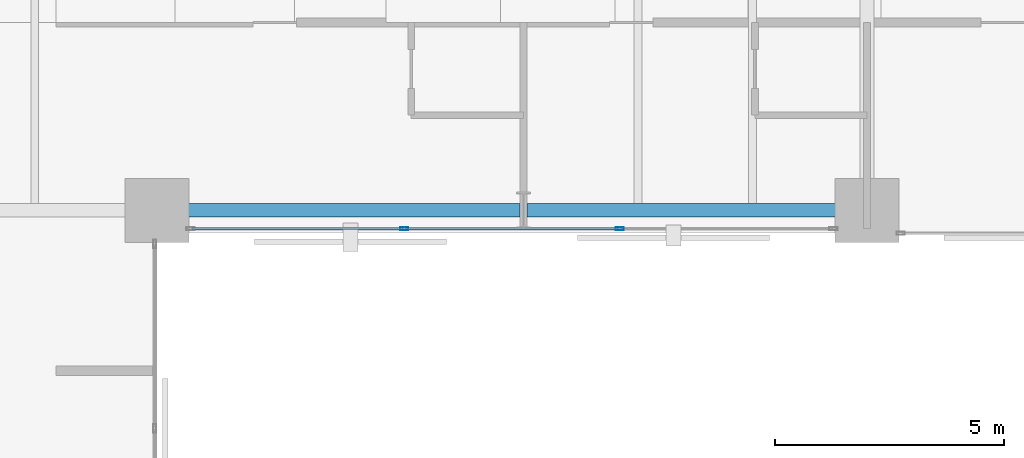
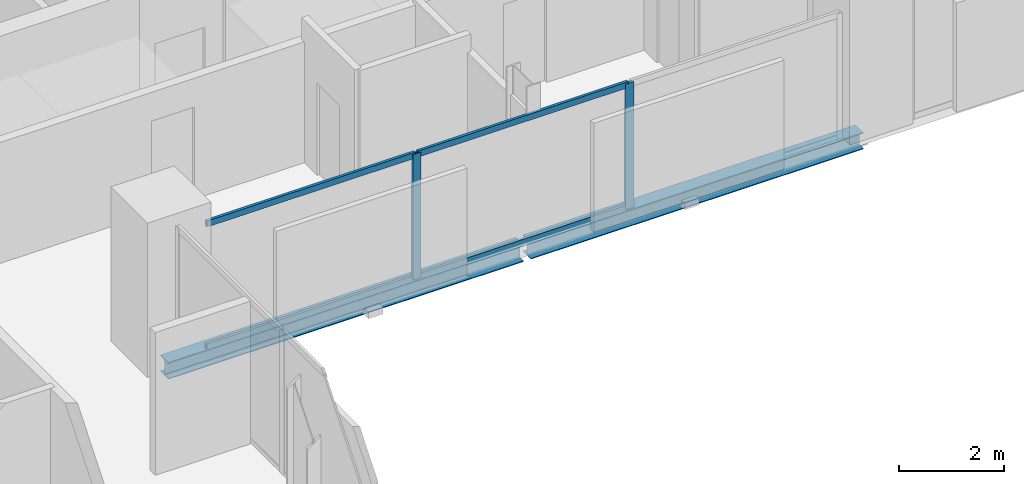
# One storey, part 14 of 33: 6 members, 2 beams, 1 element without a shape of its own.
"""IFC4 building model written with IfcOpenShell, lengths in metres."""

from ifc_helpers import new_model, si_unit, direction, frame, origin, origin_2d, place, context, subcontext, project, spatial, hollow_rectangle, i_section, extrude, material, layer, layer_set, material_profile, profile_set, type_object, element, aggregate, save


model = new_model("IFC4")

# Units and contexts
model_context = context("Model", 3, precision=1e-05, world=origin(), true_north=direction((0.0, 1.0)))
body_context = subcontext(model_context, "Body", "Model", "MODEL_VIEW")
ifc_project = project(units=[si_unit("LENGTHUNIT", "METRE"), si_unit("AREAUNIT", "SQUARE_METRE"), si_unit("VOLUMEUNIT", "CUBIC_METRE"), si_unit("PLANEANGLEUNIT", "RADIAN"), si_unit("MASSUNIT", "GRAM", prefix="KILO")], contexts=[model_context])

# Site, building, storey
site_placement = place(None, origin())
site = spatial("IfcSite", under=ifc_project, at=site_placement, CompositionType="ELEMENT")
building_placement = place(site_placement, origin())
building = spatial("IfcBuilding", under=site, at=building_placement, Name="Catumbela Crestline Tower", CompositionType="ELEMENT")
storey_placement = place(building_placement, frame((0.0, 0.0, 47.4)))
storey = spatial("IfcBuildingStorey", under=building, at=storey_placement, Name="L11", CompositionType="ELEMENT", Elevation=47.4)

# Curtain wall, members
ifc_material_1 = material(Name="Aluminium alloy AW-6060-T66", Category="aluminium")
ifc_layer = layer(ifc_material_1, 0.18, Name="Aluminium alloy AW-6060-T66")
ifc_layer_set = layer_set([ifc_layer], Name="Aluminium alloy AW-6060-T66")
curtain_wall_type = type_object("IfcCurtainWallType", Name="CWU-Z1", PredefinedType="USERDEFINED", material=ifc_layer_set)
curtain_wall_placement = place(storey_placement, origin())
curtain_wall = element("IfcCurtainWall", 1, at=curtain_wall_placement, inside=storey, type_object=curtain_wall_type, Name="L11 Unitised Curtain Wall CW-L11-E3S1", ObjectType="UNITISED", PredefinedType="USERDEFINED")
ifc_material_profile_1 = material_profile(ifc_material_1, hollow_rectangle(XDim=0.065, YDim=0.18, WallThickness=0.004, at=origin_2d()), Name="ALU 180x65x4")
ifc_profile_set_1 = profile_set([ifc_material_profile_1], Name="Aluminium alloy AW-6060-T66")
member_type_1 = type_object("IfcMemberType", Name="MUL-180X65", PredefinedType="MULLION", material=ifc_profile_set_1)
member_1_placement = place(storey_placement, frame((29.4, 24.1, 0.0), z_axis=(0.0, 0.0, 1.0), x_axis=(0.0, 1.0, 0.0)))
member_1 = element("IfcMember", 2, at=member_1_placement, type_object=member_type_1, Name="CWU-Z1 mullion 2", PredefinedType="MULLION", context=body_context, shape_type="SweptSolid", body=[
    extrude(hollow_rectangle(XDim=0.065, YDim=0.18, WallThickness=0.004, at=origin_2d()), origin(), (0.0, 0.0, 1.0), 2.93),
])
member_2_placement = place(storey_placement, frame((34.1, 24.1, 0.0), z_axis=(0.0, 0.0, 1.0), x_axis=(0.0, 1.0, 0.0)))
member_2 = element("IfcMember", 3, at=member_2_placement, type_object=member_type_1, Name="CWU-Z1 mullion 3", PredefinedType="MULLION", context=body_context, shape_type="SweptSolid", body=[
    extrude(hollow_rectangle(XDim=0.065, YDim=0.18, WallThickness=0.004, at=origin_2d()), origin(), (0.0, 0.0, 1.0), 2.93),
])

# Beams
ifc_material_2 = material(Name="Structural steel S355J2", Category="steel")
ifc_material_profile_2 = material_profile(ifc_material_2, i_section(OverallWidth=0.3, OverallDepth=0.39, WebThickness=0.011, FlangeThickness=0.019, FilletRadius=0.027, at=origin_2d()), Name="HEA 400")
ifc_profile_set_2 = profile_set([ifc_material_profile_2], Name="Structural steel S355J2")
beam_type = type_object("IfcBeamType", Name="BS-HEA400", PredefinedType="SPANDREL", material=ifc_profile_set_2)
beam_1_placement = place(storey_placement, frame((24.08, 24.5, -0.455), z_axis=(1.0, 0.0, 0.0), x_axis=(0.0, 1.0, 0.0)))
element("IfcBeam", 4, at=beam_1_placement, inside=storey, type_object=beam_type, Name="L11 Spandrel SP-L11-S05", PredefinedType="SPANDREL", context=body_context, shape_type="SweptSolid", body=[
    extrude(i_section(OverallWidth=0.3, OverallDepth=0.39, WebThickness=0.011, FlangeThickness=0.019, FilletRadius=0.027, at=origin_2d()), origin(), (0.0, 0.0, 1.0), 7.84),
])
beam_2_placement = place(storey_placement, frame((32.08, 24.5, -0.455), z_axis=(1.0, 0.0, 0.0), x_axis=(0.0, 1.0, 0.0)))
element("IfcBeam", 5, at=beam_2_placement, inside=storey, type_object=beam_type, Name="L11 Spandrel SP-L11-S06", PredefinedType="SPANDREL", context=body_context, shape_type="SweptSolid", body=[
    extrude(i_section(OverallWidth=0.3, OverallDepth=0.39, WebThickness=0.011, FlangeThickness=0.019, FilletRadius=0.027, at=origin_2d()), origin(), (0.0, 0.0, 1.0), 7.34),
])

# Member
ifc_material_profile_3 = material_profile(ifc_material_1, hollow_rectangle(XDim=0.06, YDim=0.14, WallThickness=0.004, at=origin_2d()), Name="ALU 140x60x4")
ifc_profile_set_3 = profile_set([ifc_material_profile_3], Name="Aluminium alloy AW-6060-T66")
member_type_2 = type_object("IfcMemberType", Name="TRN-140X60", PredefinedType="USERDEFINED", material=ifc_profile_set_3)
member_3_placement = place(storey_placement, frame((24.765, 24.1, 0.03), z_axis=(1.0, 0.0, 0.0), x_axis=(0.0, 1.0, 0.0)))
member_3 = element("IfcMember", 6, at=member_3_placement, type_object=member_type_2, Name="CWU-Z1 transom 1.1", ObjectType="TRANSOM", PredefinedType="USERDEFINED", context=body_context, shape_type="SweptSolid", body=[
    extrude(hollow_rectangle(XDim=0.06, YDim=0.14, WallThickness=0.004, at=origin_2d()), origin(), (0.0, 0.0, 1.0), 4.6025),
])

member_4_placement = place(storey_placement, frame((24.765, 24.1, 2.9), z_axis=(1.0, 0.0, 0.0), x_axis=(0.0, 1.0, 0.0)))
member_4 = element("IfcMember", 7, at=member_4_placement, type_object=member_type_2, Name="CWU-Z1 transom 1.2", ObjectType="TRANSOM", PredefinedType="USERDEFINED", context=body_context, shape_type="SweptSolid", body=[
    extrude(hollow_rectangle(XDim=0.06, YDim=0.14, WallThickness=0.004, at=origin_2d()), origin(), (0.0, 0.0, 1.0), 4.6025),
])

member_5_placement = place(storey_placement, frame((29.4325, 24.1, 0.03), z_axis=(1.0, 0.0, 0.0), x_axis=(0.0, 1.0, 0.0)))
member_5 = element("IfcMember", 8, at=member_5_placement, type_object=member_type_2, Name="CWU-Z1 transom 2.1", ObjectType="TRANSOM", PredefinedType="USERDEFINED", context=body_context, shape_type="SweptSolid", body=[
    extrude(hollow_rectangle(XDim=0.06, YDim=0.14, WallThickness=0.004, at=origin_2d()), origin(), (0.0, 0.0, 1.0), 4.635),
])

member_6_placement = place(storey_placement, frame((29.4325, 24.1, 2.9), z_axis=(1.0, 0.0, 0.0), x_axis=(0.0, 1.0, 0.0)))
member_6 = element("IfcMember", 9, at=member_6_placement, type_object=member_type_2, Name="CWU-Z1 transom 2.2", ObjectType="TRANSOM", PredefinedType="USERDEFINED", context=body_context, shape_type="SweptSolid", body=[
    extrude(hollow_rectangle(XDim=0.06, YDim=0.14, WallThickness=0.004, at=origin_2d()), origin(), (0.0, 0.0, 1.0), 4.635),
])

aggregate(curtain_wall, [member_1, member_2, member_3, member_4, member_5, member_6])

save(model, "model.ifc")
